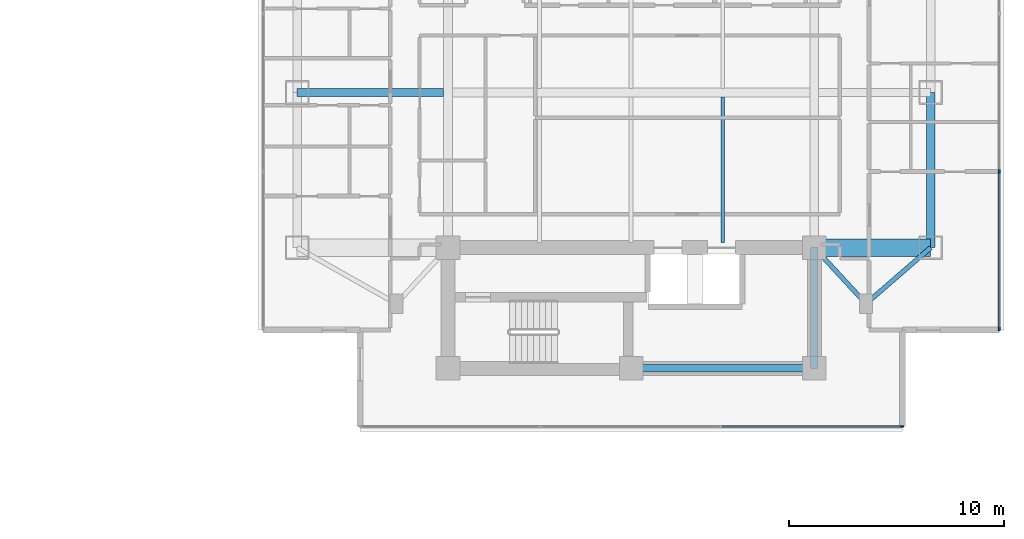
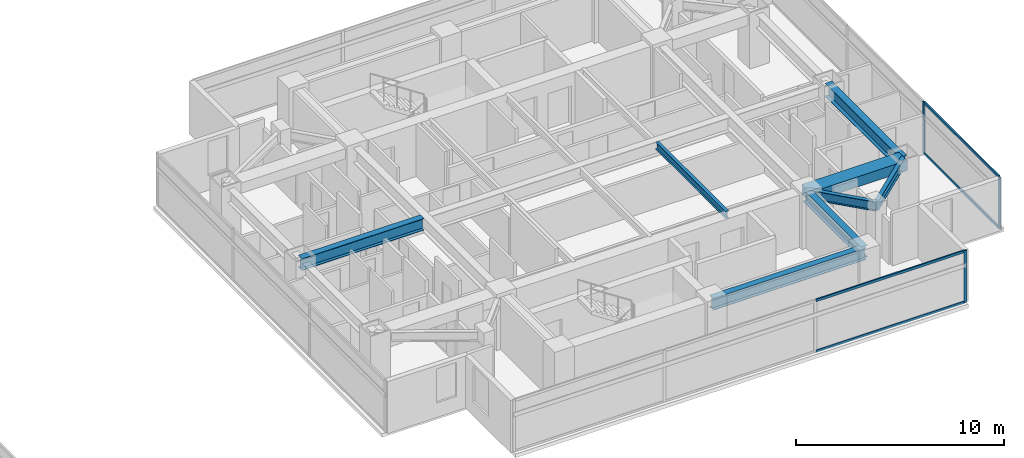
# One storey, part 10 of 26: 8 beams, 7 members, 2 elements without a shape of their own.
"""IFC4 building model written with IfcOpenShell, lengths in metres."""

from ifc_helpers import new_model, si_unit, direction, frame, origin, origin_2d, place, context, subcontext, project, spatial, rectangle, i_section, extrude, material, material_profile, profile_set, type_object, element, aggregate, save


model = new_model("IFC4")

# Units and contexts
model_context = context("Model", 3, precision=1e-05, world=origin(), true_north=direction((0.0, 1.0)))
body_context = subcontext(model_context, "Body", "Model", "MODEL_VIEW")
ifc_project = project(units=[si_unit("LENGTHUNIT", "METRE"), si_unit("AREAUNIT", "SQUARE_METRE"), si_unit("VOLUMEUNIT", "CUBIC_METRE"), si_unit("PLANEANGLEUNIT", "RADIAN"), si_unit("MASSUNIT", "GRAM", prefix="KILO")], contexts=[model_context])

# Site, building, storey
site_placement = place(None, origin())
site = spatial("IfcSite", under=ifc_project, at=site_placement, CompositionType="ELEMENT")
building_placement = place(site_placement, origin())
building = spatial("IfcBuilding", under=site, at=building_placement, Name="Mirazonda Arch Towers", CompositionType="ELEMENT")
storey_placement = place(building_placement, frame((0.0, 0.0, 121.39990234375)))
storey = spatial("IfcBuildingStorey", under=building, at=storey_placement, Name="L34", CompositionType="ELEMENT", Elevation=121.39990234375)

# Beams
ifc_material_1 = material(Name="Steel ASTM A992 Grade 50", Category="steel")
ifc_material_profile_1 = material_profile(ifc_material_1, i_section(OverallWidth=0.381103515625, OverallDepth=0.77294921875, WebThickness=0.0166015625, FlangeThickness=0.027099609375, at=origin_2d()), Name="W30X173")
ifc_profile_set_1 = profile_set([ifc_material_profile_1], Name="Steel ASTM A992 Grade 50")
beam_type_1 = type_object("IfcBeamType", Name="BM-EXT-W30X173", PredefinedType="USERDEFINED", material=ifc_profile_set_1)
beam_1_placement = place(storey_placement, frame((90.39990234375, 20.800048828125, 2.693603515625), z_axis=(0.0, 1.0, 0.0), x_axis=(-1.0, 0.0, 0.0)))
element("IfcBeam", 1, at=beam_1_placement, inside=storey, type_object=beam_type_1, Name="L34 Floor Beam BM-T2-L34-NS-E-20", ObjectType="GIRDER", PredefinedType="USERDEFINED", context=body_context, shape_type="SweptSolid", body=[
    extrude(i_section(OverallWidth=0.381103515625, OverallDepth=0.77294921875, WebThickness=0.0166015625, FlangeThickness=0.027099609375, at=origin_2d()), origin(), (0.0, 0.0, 1.0), 7.199951171875),
])
ifc_material_profile_2 = material_profile(ifc_material_1, i_section(OverallWidth=0.180908203125, OverallDepth=0.4169921875, WebThickness=0.010986328125, FlangeThickness=0.018310546875, at=origin_2d()), Name="W16X57")
ifc_profile_set_2 = profile_set([ifc_material_profile_2], Name="Steel ASTM A992 Grade 50")
beam_type_2 = type_object("IfcBeamType", Name="BM-INT-W16X57", PredefinedType="JOIST", material=ifc_profile_set_2)
beam_2_placement = place(storey_placement, frame((80.75, 21.0400390625, 2.87158203125), z_axis=(0.0, 1.0, 0.0), x_axis=(-1.0, 0.0, 0.0)))
element("IfcBeam", 2, at=beam_2_placement, inside=storey, type_object=beam_type_2, Name="L34 Floor Beam BM-T2-L34-J-807-20", PredefinedType="JOIST", context=body_context, shape_type="SweptSolid", body=[
    extrude(i_section(OverallWidth=0.180908203125, OverallDepth=0.4169921875, WebThickness=0.010986328125, FlangeThickness=0.018310546875, at=origin_2d()), origin(), (0.0, 0.0, 1.0), 6.763916015625),
])
ifc_material_profile_3 = material_profile(ifc_material_1, i_section(OverallWidth=0.214111328125, OverallDepth=0.549072265625, WebThickness=0.0146484375, FlangeThickness=0.023681640625, at=origin_2d()), Name="W21X93")
ifc_profile_set_3 = profile_set([ifc_material_profile_3], Name="Steel ASTM A992 Grade 50")
beam_type_3 = type_object("IfcBeamType", Name="BM-INT-W21X93", PredefinedType="BEAM", material=ifc_profile_set_3)
beam_3_placement = place(storey_placement, frame((87.39990234375, 18.199951171875, 2.8056640625), z_axis=(-0.678251444854, 0.734829897019, 0.0), x_axis=(-0.734829897019, -0.678251444854, 0.0)))
element("IfcBeam", 3, at=beam_3_placement, inside=storey, type_object=beam_type_3, Name="L34 Floor Beam BM-T2-L34-PL-SE1", PredefinedType="BEAM", context=body_context, shape_type="SweptSolid", body=[
    extrude(i_section(OverallWidth=0.214111328125, OverallDepth=0.549072265625, WebThickness=0.0146484375, FlangeThickness=0.023681640625, at=origin_2d()), origin(), (0.0, 0.0, 1.0), 3.538330078125),
])
beam_4_placement = place(storey_placement, frame((87.39990234375, 18.199951171875, 2.8056640625), z_axis=(0.755676908098, 0.654944585876, 0.0), x_axis=(-0.654944585876, 0.755676908098, 0.0)))
element("IfcBeam", 4, at=beam_4_placement, inside=storey, type_object=beam_type_3, Name="L34 Floor Beam BM-T2-L34-PL-SE2", PredefinedType="BEAM", context=body_context, shape_type="SweptSolid", body=[
    extrude(i_section(OverallWidth=0.214111328125, OverallDepth=0.549072265625, WebThickness=0.0146484375, FlangeThickness=0.023681640625, at=origin_2d()), origin(), (0.0, 0.0, 1.0), 3.969970703125),
])
ifc_material_profile_4 = material_profile(ifc_material_1, i_section(OverallWidth=0.35498046875, OverallDepth=0.696044921875, WebThickness=0.015380859375, FlangeThickness=0.02490234375, at=origin_2d()), Name="W27X146")
ifc_profile_set_4 = profile_set([ifc_material_profile_4], Name="Steel ASTM A992 Grade 50")
beam_type_4 = type_object("IfcBeamType", Name="BM-INT-W27X146", PredefinedType="BEAM", material=ifc_profile_set_4)
beam_5_placement = place(storey_placement, frame((76.5, 15.199951171875, 2.732177734375), z_axis=(1.0, 0.0, 0.0), x_axis=(0.0, 1.0, 0.0)))
element("IfcBeam", 5, at=beam_5_placement, inside=storey, type_object=beam_type_4, Name="L34 Floor Beam BM-T2-L34-CS2", PredefinedType="BEAM", context=body_context, shape_type="SweptSolid", body=[
    extrude(i_section(OverallWidth=0.35498046875, OverallDepth=0.696044921875, WebThickness=0.015380859375, FlangeThickness=0.02490234375, at=origin_2d()), origin(), (0.0, 0.0, 1.0), 8.5),
])
beam_6_placement = place(storey_placement, frame((85.0, 15.199951171875, 2.732177734375), z_axis=(0.0, 1.0, 0.0), x_axis=(-1.0, 0.0, 0.0)))
element("IfcBeam", 6, at=beam_6_placement, inside=storey, type_object=beam_type_4, Name="L34 Floor Beam BM-T2-L34-CSE", PredefinedType="BEAM", context=body_context, shape_type="SweptSolid", body=[
    extrude(i_section(OverallWidth=0.35498046875, OverallDepth=0.696044921875, WebThickness=0.015380859375, FlangeThickness=0.02490234375, at=origin_2d()), origin(), (0.0, 0.0, 1.0), 5.60009765625),
])
beam_7_placement = place(storey_placement, frame((61.0, 28.0, 2.732177734375), z_axis=(1.0, 0.0, 0.0), x_axis=(0.0, 1.0, 0.0)))
element("IfcBeam", 7, at=beam_7_placement, inside=storey, type_object=beam_type_4, Name="L34 Floor Beam BM-T2-L34-GW2", PredefinedType="BEAM", context=body_context, shape_type="SweptSolid", body=[
    extrude(i_section(OverallWidth=0.35498046875, OverallDepth=0.696044921875, WebThickness=0.015380859375, FlangeThickness=0.02490234375, at=origin_2d()), origin(), (0.0, 0.0, 1.0), 6.800048828125),
])
ifc_material_2 = material(Name="Concrete C60/75", Category="concrete")
ifc_material_profile_5 = material_profile(ifc_material_2, rectangle(XDim=0.800048828125, YDim=0.60009765625, at=origin_2d()), Name="RCCB800x600")
ifc_profile_set_5 = profile_set([ifc_material_profile_5], Name="Concrete C60/75")
beam_type_5 = type_object("IfcBeamType", Name="CB-INT-RCCB800x600", PredefinedType="SPANDREL", material=ifc_profile_set_5)
beam_8_placement = place(storey_placement, frame((85.0, 20.800048828125, 2.780029296875), z_axis=(1.0, 0.0, 0.0), x_axis=(0.0, 1.0, 0.0)))
element("IfcBeam", 8, at=beam_8_placement, inside=storey, type_object=beam_type_5, Name="L34 Floor Beam CBC-T2-L34-SE", PredefinedType="SPANDREL", context=body_context, shape_type="SweptSolid", body=[
    extrude(rectangle(XDim=0.800048828125, YDim=0.60009765625, at=origin_2d()), origin(), (0.0, 0.0, 1.0), 5.39990234375),
])

# Curtain wall, member
ifc_material_3 = material(Name="Anodised Aluminium and Low-E Glass", Category="aluminium")
curtain_wall_type = type_object("IfcCurtainWallType", Name="CW-HTL-UNIT", PredefinedType="NOTDEFINED", material=ifc_material_3)
curtain_wall_1_placement = place(storey_placement, origin())
curtain_wall_1 = element("IfcCurtainWall", 9, at=curtain_wall_1_placement, inside=storey, type_object=curtain_wall_type, Name="L34 T2 S Facade CW-L34-T2-S", PredefinedType="NOTDEFINED")
ifc_material_4 = material(Name="Anodised Aluminium Alloy", Category="aluminium")
ifc_material_profile_6 = material_profile(ifc_material_4, rectangle(XDim=0.074951171875, YDim=0.1650390625, at=origin_2d()), Name="ALU-MULL-75x165")
ifc_profile_set_6 = profile_set([ifc_material_profile_6], Name="Anodised Aluminium Alloy")
member_type_1 = type_object("IfcMemberType", Name="MULL-CW-HTL-UNIT", PredefinedType="MULLION", material=ifc_profile_set_6)
member_1_placement = place(storey_placement, frame((89.05908203125, 12.497802734375, 0.0), z_axis=(0.0, 0.0, 1.0), x_axis=(0.0, -1.0, 0.0)))
member_1 = element("IfcMember", 10, at=member_1_placement, type_object=member_type_1, Name="CW-112 mullion 1", PredefinedType="MULLION", context=body_context, shape_type="SweptSolid", body=[
    extrude(rectangle(XDim=0.074951171875, YDim=0.1650390625, at=origin_2d()), origin(), (0.0, 0.0, 1.0), 3.06005859375),
])

# Curtain wall, members
curtain_wall_2_placement = place(storey_placement, origin())
curtain_wall_2 = element("IfcCurtainWall", 11, at=curtain_wall_2_placement, inside=storey, type_object=curtain_wall_type, Name="L34 T2 E Facade CW-L34-T2-E", PredefinedType="NOTDEFINED")
member_2_placement = place(storey_placement, frame((93.5830078125, 17.021728515625, 0.0), z_axis=(0.0, 0.0, 1.0), x_axis=(-1.0, 0.0, 0.0)))
member_2 = element("IfcMember", 12, at=member_2_placement, type_object=member_type_1, Name="CW-112 mullion 1", PredefinedType="MULLION", context=body_context, shape_type="SweptSolid", body=[
    extrude(rectangle(XDim=0.074951171875, YDim=0.1650390625, at=origin_2d()), origin(), (0.0, 0.0, 1.0), 3.06005859375),
])
member_3_placement = place(storey_placement, frame((93.5830078125, 24.328125, 0.0), z_axis=(0.0, 0.0, 1.0), x_axis=(-1.0, 0.0, 0.0)))
member_3 = element("IfcMember", 13, at=member_3_placement, type_object=member_type_1, Name="CW-112 mullion 2", PredefinedType="MULLION", context=body_context, shape_type="SweptSolid", body=[
    extrude(rectangle(XDim=0.074951171875, YDim=0.1650390625, at=origin_2d()), origin(), (0.0, 0.0, 1.0), 3.06005859375),
])

# Member
ifc_material_profile_7 = material_profile(ifc_material_4, rectangle(XDim=0.074951171875, YDim=0.14501953125, at=origin_2d()), Name="ALU-TRAN-75x145")
ifc_profile_set_7 = profile_set([ifc_material_profile_7], Name="Anodised Aluminium Alloy")
member_type_2 = type_object("IfcMemberType", Name="TRAN-CW-HTL-UNIT", PredefinedType="USERDEFINED", material=ifc_profile_set_7)
member_4_placement = place(storey_placement, frame((89.021484375, 12.497802734375, 0.03759765625), z_axis=(-1.0, 0.0, 0.0), x_axis=(0.0, -1.0, 0.0)))
member_4 = element("IfcMember", 14, at=member_4_placement, type_object=member_type_2, Name="CW-112 transom 1.1", ObjectType="TRANSOM", PredefinedType="USERDEFINED", context=body_context, shape_type="SweptSolid", body=[
    extrude(rectangle(XDim=0.074951171875, YDim=0.14501953125, at=origin_2d()), origin(), (0.0, 0.0, 1.0), 8.28515625),
])

member_5_placement = place(storey_placement, frame((89.021484375, 12.497802734375, 3.022705078125), z_axis=(-1.0, 0.0, 0.0), x_axis=(0.0, -1.0, 0.0)))
member_5 = element("IfcMember", 15, at=member_5_placement, type_object=member_type_2, Name="CW-112 transom 1.2", ObjectType="TRANSOM", PredefinedType="USERDEFINED", context=body_context, shape_type="SweptSolid", body=[
    extrude(rectangle(XDim=0.074951171875, YDim=0.14501953125, at=origin_2d()), origin(), (0.0, 0.0, 1.0), 8.28515625),
])

aggregate(curtain_wall_1, [member_1, member_4, member_5])

member_6_placement = place(storey_placement, frame((93.5830078125, 17.05908203125, 0.03759765625), z_axis=(0.0, 1.0, 0.0), x_axis=(-1.0, 0.0, 0.0)))
member_6 = element("IfcMember", 16, at=member_6_placement, type_object=member_type_2, Name="CW-112 transom 1.1", ObjectType="TRANSOM", PredefinedType="USERDEFINED", context=body_context, shape_type="SweptSolid", body=[
    extrude(rectangle(XDim=0.074951171875, YDim=0.14501953125, at=origin_2d()), origin(), (0.0, 0.0, 1.0), 7.2314453125),
])

member_7_placement = place(storey_placement, frame((93.5830078125, 17.05908203125, 3.022705078125), z_axis=(0.0, 1.0, 0.0), x_axis=(-1.0, 0.0, 0.0)))
member_7 = element("IfcMember", 17, at=member_7_placement, type_object=member_type_2, Name="CW-112 transom 1.2", ObjectType="TRANSOM", PredefinedType="USERDEFINED", context=body_context, shape_type="SweptSolid", body=[
    extrude(rectangle(XDim=0.074951171875, YDim=0.14501953125, at=origin_2d()), origin(), (0.0, 0.0, 1.0), 7.2314453125),
])

aggregate(curtain_wall_2, [member_2, member_3, member_6, member_7])

save(model, "model.ifc")
